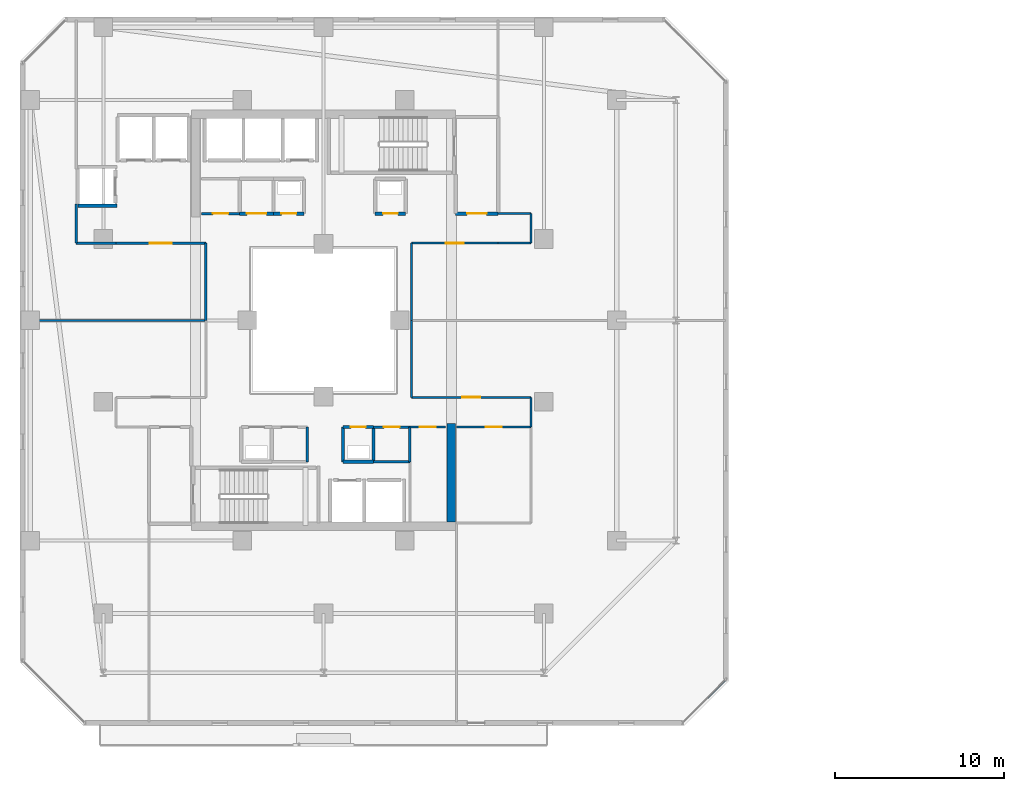
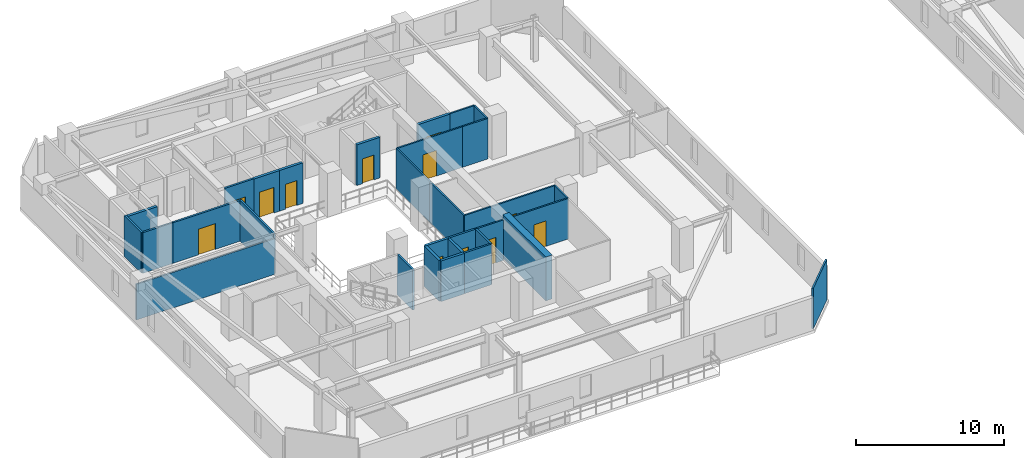
# One storey, part 20 of 32: 31 walls, 12 doors, 12 openings.
"""IFC4 building model written with IfcOpenShell, lengths in metres."""

from ifc_helpers import new_model, si_unit, direction, frame, frame_2d, origin, place, context, subcontext, project, spatial, rectangle, extrude, material, layer, layer_set, type_object, element, fill, save


model = new_model("IFC4")

# Units and contexts
model_context = context("Model", 3, precision=1e-05, world=origin(), true_north=direction((0.0, 1.0)))
body_context = subcontext(model_context, "Body", "Model", "MODEL_VIEW")
ifc_project = project(units=[si_unit("LENGTHUNIT", "METRE"), si_unit("AREAUNIT", "SQUARE_METRE"), si_unit("VOLUMEUNIT", "CUBIC_METRE"), si_unit("PLANEANGLEUNIT", "RADIAN"), si_unit("MASSUNIT", "GRAM", prefix="KILO")], contexts=[model_context])

# Site, building, storey
site_placement = place(None, origin())
site = spatial("IfcSite", under=ifc_project, at=site_placement, CompositionType="ELEMENT")
building_placement = place(site_placement, origin())
building = spatial("IfcBuilding", under=site, at=building_placement, Name="Thornwick Lancets Civic Towers", CompositionType="ELEMENT")
storey_placement = place(building_placement, frame((0.0, 0.0, 156.300048828125)))
storey = spatial("IfcBuildingStorey", under=building, at=storey_placement, Name="L41", CompositionType="ELEMENT", Elevation=156.300048828125)

# Wall
ifc_material_1 = material(Name="Concrete blockwork C40/50", Category="masonry")
ifc_layer_1 = layer(ifc_material_1, 0.199951171875, Name="Concrete blockwork C40/50")
ifc_layer_set_1 = layer_set([ifc_layer_1], Name="Concrete blockwork C40/50")
wall_type_1 = type_object("IfcWallType", Name="WALL_COMP_200", PredefinedType="STANDARD", material=ifc_layer_set_1)
wall_1_placement = place(storey_placement, frame((11.001953125, 33.75, 0.0), z_axis=(0.0, 0.0, 1.0), x_axis=(1.0, 0.0, 0.0)))
element("IfcWall", 1, at=wall_1_placement, inside=storey, type_object=wall_type_1, Name="L41 Hoistway Shaft Wall PL-AM3 S", PredefinedType="STANDARD", context=body_context, shape_type="SweptSolid", body=[
    extrude(rectangle(XDim=2.296142578125, YDim=0.199951171875, at=frame_2d((1.14794921875, 0.0))), origin(), (0.0, 0.0, 1.0), 3.33984375),
])

# Wall, opening, door
wall_2_placement = place(storey_placement, frame((33.300048828125, 33.300048828125, 0.0), z_axis=(0.0, 0.0, 1.0), x_axis=(1.0, 0.0, 0.0)))
wall_2 = element("IfcWall", 2, at=wall_2_placement, inside=storey, type_object=wall_type_1, Name="L41 Partition L41-A-FFLOB2 E1", PredefinedType="STANDARD", context=body_context, shape_type="SweptSolid", body=[
    extrude(rectangle(XDim=2.5, YDim=0.199951171875, at=frame_2d((1.25, 0.0))), origin(), (0.0, 0.0, 1.0), 3.33984375),
])
opening_1_placement = place(wall_2_placement, frame((0.675048828125, 0.0, 0.0)))
opening_1 = element("IfcOpeningElement", 3, at=opening_1_placement, cuts=wall_2, Name="Opening D-L41-1830", PredefinedType="OPENING", context=body_context, shape_type="SweptSolid", body=[
    extrude(rectangle(XDim=1.14990234375, YDim=2.10009765625, at=frame_2d((0.574951171875, 1.050048828125))), frame((0.0, 0.10986328125, 0.0), z_axis=(0.0, -1.0, 0.0), x_axis=(1.0, 0.0, 0.0)), (0.0, 0.0, 1.0), 0.219970703125),
])
ifc_material_2 = material(Name="Glazed fire-resisting steel", Category="steel")
door_type_1 = type_object("IfcDoorType", Name="DOOR_LOBBY_FD60", OperationType="NOTDEFINED", PredefinedType="DOOR", material=ifc_material_2)
door_1_placement = place(opening_1_placement, origin())
door_1 = element("IfcDoor", 4, at=door_1_placement, inside=storey, type_object=door_type_1, Name="L41 North Firefighting Lobby 2 Door", OperationType="SINGLE_SWING_LEFT", OverallHeight=2.10009765625, OverallWidth=1.14990234375, PredefinedType="DOOR", context=body_context, shape_type="SweptSolid", body=[
    extrude(rectangle(XDim=1.14990234375, YDim=2.10009765625, at=frame_2d((0.574951171875, 1.050048828125))), frame((0.0, 0.02490234375, 0.0), z_axis=(0.0, -1.0, 0.0), x_axis=(1.0, 0.0, 0.0)), (0.0, 0.0, 1.0), 0.050048828125),
])
fill(opening_1, door_1)

# Walls
wall_3_placement = place(storey_placement, frame((26.64990234375, 18.64990234375, 0.0), z_axis=(0.0, 0.0, 1.0), x_axis=(1.0, 0.0, 0.0)))
element("IfcWall", 5, at=wall_3_placement, inside=storey, type_object=wall_type_1, Name="L41 Partition L41-A-DUCT1 E1", PredefinedType="STANDARD", context=body_context, shape_type="SweptSolid", body=[
    extrude(rectangle(XDim=1.800048828125, YDim=0.199951171875, at=frame_2d((0.89990234375, 0.0))), origin(), (0.0, 0.0, 1.0), 3.33984375),
])
wall_4_placement = place(storey_placement, frame((28.449951171875, 18.64990234375, 0.0), z_axis=(0.0, 0.0, 1.0), x_axis=(0.0, 1.0, 0.0)))
element("IfcWall", 6, at=wall_4_placement, inside=storey, type_object=wall_type_1, Name="L41 Partition L41-A-DUCT1 E2", PredefinedType="STANDARD", context=body_context, shape_type="SweptSolid", body=[
    extrude(rectangle(XDim=2.050048828125, YDim=0.199951171875, at=frame_2d((1.02490234375, 0.0))), origin(), (0.0, 0.0, 1.0), 3.33984375),
])

# Wall, opening, door
wall_5_placement = place(storey_placement, frame((28.449951171875, 20.699951171875, 0.0), z_axis=(0.0, 0.0, 1.0), x_axis=(-1.0, 0.0, 0.0)))
wall_5 = element("IfcWall", 7, at=wall_5_placement, inside=storey, type_object=wall_type_1, Name="L41 Partition L41-A-DUCT1 E3", PredefinedType="STANDARD", context=body_context, shape_type="SweptSolid", body=[
    extrude(rectangle(XDim=1.800048828125, YDim=0.199951171875, at=frame_2d((0.89990234375, 0.0))), origin(), (0.0, 0.0, 1.0), 3.33984375),
])
opening_2_placement = place(wall_5_placement, frame((0.4599609375, 0.0, 0.0)))
opening_2 = element("IfcOpeningElement", 8, at=opening_2_placement, cuts=wall_5, Name="Opening D-L41-1831", PredefinedType="OPENING", context=body_context, shape_type="SweptSolid", body=[
    extrude(rectangle(XDim=0.8798828125, YDim=2.0400390625, at=frame_2d((0.43994140625, 1.02001953125))), frame((0.0, 0.10986328125, 0.0), z_axis=(0.0, -1.0, 0.0), x_axis=(1.0, 0.0, 0.0)), (0.0, 0.0, 1.0), 0.219970703125),
])
ifc_material_3 = material(Name="Steel riser access doorset", Category="steel")
door_type_2 = type_object("IfcDoorType", Name="DOOR_RISER_850", OperationType="NOTDEFINED", PredefinedType="DOOR", material=ifc_material_3)
door_2_placement = place(opening_2_placement, origin())
door_2 = element("IfcDoor", 9, at=door_2_placement, inside=storey, type_object=door_type_2, Name="L41 South Service Duct 1 Door", OperationType="SINGLE_SWING_RIGHT", OverallHeight=2.0400390625, OverallWidth=0.8798828125, PredefinedType="DOOR", context=body_context, shape_type="SweptSolid", body=[
    extrude(rectangle(XDim=0.8798828125, YDim=2.0400390625, at=frame_2d((0.43994140625, 1.02001953125))), frame((0.0, 0.02490234375, 0.0), z_axis=(0.0, -1.0, 0.0), x_axis=(1.0, 0.0, 0.0)), (0.0, 0.0, 1.0), 0.050048828125),
])
fill(opening_2, door_2)

# Wall
wall_6_placement = place(storey_placement, frame((26.64990234375, 20.699951171875, 0.0), z_axis=(0.0, 0.0, 1.0), x_axis=(0.0, -1.0, 0.0)))
element("IfcWall", 10, at=wall_6_placement, inside=storey, type_object=wall_type_1, Name="L41 Partition L41-A-DUCT1 E4", PredefinedType="STANDARD", context=body_context, shape_type="SweptSolid", body=[
    extrude(rectangle(XDim=2.050048828125, YDim=0.199951171875, at=frame_2d((1.02490234375, 0.0))), origin(), (0.0, 0.0, 1.0), 3.33984375),
])

# Wall, opening, door
wall_7_placement = place(storey_placement, frame((22.550048828125, 33.300048828125, 0.0), z_axis=(0.0, 0.0, 1.0), x_axis=(1.0, 0.0, 0.0)))
wall_7 = element("IfcWall", 11, at=wall_7_placement, inside=storey, type_object=wall_type_1, Name="L41 Partition L41-A-DUCT2 E1", PredefinedType="STANDARD", context=body_context, shape_type="SweptSolid", body=[
    extrude(rectangle(XDim=1.800048828125, YDim=0.199951171875, at=frame_2d((0.89990234375, 0.0))), origin(), (0.0, 0.0, 1.0), 3.33984375),
])
opening_3_placement = place(wall_7_placement, frame((0.4599609375, 0.0, 0.0)))
opening_3 = element("IfcOpeningElement", 12, at=opening_3_placement, cuts=wall_7, Name="Opening D-L41-1833", PredefinedType="OPENING", context=body_context, shape_type="SweptSolid", body=[
    extrude(rectangle(XDim=0.8798828125, YDim=2.0400390625, at=frame_2d((0.43994140625, 1.02001953125))), frame((0.0, 0.10986328125, 0.0), z_axis=(0.0, -1.0, 0.0), x_axis=(1.0, 0.0, 0.0)), (0.0, 0.0, 1.0), 0.219970703125),
])
door_3_placement = place(opening_3_placement, origin())
door_3 = element("IfcDoor", 13, at=door_3_placement, inside=storey, type_object=door_type_2, Name="L41 North Service Duct 2 Door", OperationType="SINGLE_SWING_RIGHT", OverallHeight=2.0400390625, OverallWidth=0.8798828125, PredefinedType="DOOR", context=body_context, shape_type="SweptSolid", body=[
    extrude(rectangle(XDim=0.8798828125, YDim=2.0400390625, at=frame_2d((0.43994140625, 1.02001953125))), frame((0.0, 0.02490234375, 0.0), z_axis=(0.0, -1.0, 0.0), x_axis=(1.0, 0.0, 0.0)), (0.0, 0.0, 1.0), 0.050048828125),
])
fill(opening_3, door_3)

wall_8_placement = place(storey_placement, frame((28.550048828125, 33.300048828125, 0.0), z_axis=(0.0, 0.0, 1.0), x_axis=(1.0, 0.0, 0.0)))
wall_8 = element("IfcWall", 14, at=wall_8_placement, inside=storey, type_object=wall_type_1, Name="L41 Partition L41-A-RISER2 E1", PredefinedType="STANDARD", context=body_context, shape_type="SweptSolid", body=[
    extrude(rectangle(XDim=1.800048828125, YDim=0.199951171875, at=frame_2d((0.89990234375, 0.0))), origin(), (0.0, 0.0, 1.0), 3.33984375),
])
opening_4_placement = place(wall_8_placement, frame((0.4599609375, 0.0, 0.0)))
opening_4 = element("IfcOpeningElement", 15, at=opening_4_placement, cuts=wall_8, Name="Opening D-L41-1834", PredefinedType="OPENING", context=body_context, shape_type="SweptSolid", body=[
    extrude(rectangle(XDim=0.8798828125, YDim=2.0400390625, at=frame_2d((0.43994140625, 1.02001953125))), frame((0.0, 0.10986328125, 0.0), z_axis=(0.0, -1.0, 0.0), x_axis=(1.0, 0.0, 0.0)), (0.0, 0.0, 1.0), 0.219970703125),
])
door_4_placement = place(opening_4_placement, origin())
door_4 = element("IfcDoor", 16, at=door_4_placement, inside=storey, type_object=door_type_2, Name="L41 North Service Riser 2 Door", OperationType="SINGLE_SWING_LEFT", OverallHeight=2.0400390625, OverallWidth=0.8798828125, PredefinedType="DOOR", context=body_context, shape_type="SweptSolid", body=[
    extrude(rectangle(XDim=0.8798828125, YDim=2.0400390625, at=frame_2d((0.43994140625, 1.02001953125))), frame((0.0, 0.02490234375, 0.0), z_axis=(0.0, -1.0, 0.0), x_axis=(1.0, 0.0, 0.0)), (0.0, 0.0, 1.0), 0.050048828125),
])
fill(opening_4, door_4)

wall_9_placement = place(storey_placement, frame((22.550048828125, 33.300048828125, 0.0), z_axis=(0.0, 0.0, 1.0), x_axis=(-1.0, 0.0, 0.0)))
wall_9 = element("IfcWall", 17, at=wall_9_placement, inside=storey, type_object=wall_type_1, Name="L41 Partition L41-A-STR E4", PredefinedType="STANDARD", context=body_context, shape_type="SweptSolid", body=[
    extrude(rectangle(XDim=2.0, YDim=0.199951171875, at=frame_2d((1.0, 0.0))), origin(), (0.0, 0.0, 1.0), 3.33984375),
])
opening_5_placement = place(wall_9_placement, frame((0.425048828125, 0.0, 0.0)))
opening_5 = element("IfcOpeningElement", 18, at=opening_5_placement, cuts=wall_9, Name="Opening D-L41-1839", PredefinedType="OPENING", context=body_context, shape_type="SweptSolid", body=[
    extrude(rectangle(XDim=1.14990234375, YDim=2.10009765625, at=frame_2d((0.574951171875, 1.050048828125))), frame((0.0, 0.10986328125, 0.0), z_axis=(0.0, -1.0, 0.0), x_axis=(1.0, 0.0, 0.0)), (0.0, 0.0, 1.0), 0.219970703125),
])
door_5_placement = place(opening_5_placement, origin())
door_5 = element("IfcDoor", 19, at=door_5_placement, inside=storey, type_object=door_type_1, Name="L41 Tower A Core Records Store Door", OperationType="SINGLE_SWING_RIGHT", OverallHeight=2.10009765625, OverallWidth=1.14990234375, PredefinedType="DOOR", context=body_context, shape_type="SweptSolid", body=[
    extrude(rectangle(XDim=1.14990234375, YDim=2.10009765625, at=frame_2d((0.574951171875, 1.050048828125))), frame((0.0, 0.02490234375, 0.0), z_axis=(0.0, -1.0, 0.0), x_axis=(1.0, 0.0, 0.0)), (0.0, 0.0, 1.0), 0.050048828125),
])
fill(opening_5, door_5)

# Wall
ifc_material_4 = material(Name="Concrete C50/60", Category="concrete")
ifc_layer_2 = layer(ifc_material_4, 0.5, Name="Concrete C50/60")
ifc_layer_set_2 = layer_set([ifc_layer_2], Name="Concrete C50/60")
wall_type_2 = type_object("IfcWallType", Name="WALL_CORE_500", PredefinedType="SHEAR", material=ifc_layer_set_2)
wall_10_placement = place(storey_placement, frame((33.050048828125, 15.10009765625, 0.0), z_axis=(0.0, 0.0, 1.0), x_axis=(0.0, 1.0, 0.0)))
element("IfcWall", 20, at=wall_10_placement, inside=storey, type_object=wall_type_2, Name="L41 Split Core A1 Shear Wall E", PredefinedType="SHEAR", context=body_context, shape_type="SweptSolid", body=[
    extrude(rectangle(XDim=5.7998046875, YDim=0.5, at=frame_2d((2.89990234375, 0.0))), origin(), (0.0, 0.0, 1.0), 3.599853515625),
])

# Wall, opening, door
ifc_material_5 = material(Name="Acoustic gypsum board partition")
ifc_layer_3 = layer(ifc_material_5, 0.1201171875, Name="Acoustic gypsum board partition")
ifc_layer_set_3 = layer_set([ifc_layer_3], Name="Acoustic gypsum board partition")
wall_type_3 = type_object("IfcWallType", Name="WALL_PART_120", PredefinedType="PARTITIONING", material=ifc_layer_set_3)
wall_11_placement = place(storey_placement, frame((30.60009765625, 20.699951171875, 0.0), z_axis=(0.0, 0.0, 1.0), x_axis=(1.0, 0.0, 0.0)))
wall_11 = element("IfcWall", 21, at=wall_11_placement, inside=storey, type_object=wall_type_3, Name="L41 Partition L41-A-ITR E5", PredefinedType="PARTITIONING", context=body_context, shape_type="SweptSolid", body=[
    extrude(rectangle(XDim=2.099853515625, YDim=0.1201171875, at=frame_2d((1.0498046875, 0.0))), origin(), (0.0, 0.0, 1.0), 3.33984375),
])
opening_6_placement = place(wall_11_placement, frame((0.574951171875, 0.0, 0.0)))
opening_6 = element("IfcOpeningElement", 22, at=opening_6_placement, cuts=wall_11, Name="Opening D-L41-1837", PredefinedType="OPENING", context=body_context, shape_type="SweptSolid", body=[
    extrude(rectangle(XDim=0.949951171875, YDim=2.10009765625, at=frame_2d((0.47509765625, 1.050048828125))), frame((0.0, 0.070068359375, 0.0), z_axis=(0.0, -1.0, 0.0), x_axis=(1.0, 0.0, 0.0)), (0.0, 0.0, 1.0), 0.14013671875),
])
ifc_material_6 = material(Name="European oak acoustic doorset")
door_type_3 = type_object("IfcDoorType", Name="DOOR_OFFICE_950", OperationType="NOTDEFINED", PredefinedType="DOOR", material=ifc_material_6)
door_6_placement = place(opening_6_placement, origin())
door_6 = element("IfcDoor", 23, at=door_6_placement, inside=storey, type_object=door_type_3, Name="L41 Tower A Comms Patch Room Door", OperationType="SINGLE_SWING_RIGHT", OverallHeight=2.10009765625, OverallWidth=0.949951171875, PredefinedType="DOOR", context=body_context, shape_type="SweptSolid", body=[
    extrude(rectangle(XDim=0.949951171875, YDim=2.10009765625, at=frame_2d((0.47509765625, 1.050048828125))), frame((0.0, 0.02490234375, 0.0), z_axis=(0.0, -1.0, 0.0), x_axis=(1.0, 0.0, 0.0)), (0.0, 0.0, 1.0), 0.050048828125),
])
fill(opening_6, door_6)

wall_12_placement = place(storey_placement, frame((33.35009765625, 20.699951171875, 0.0), z_axis=(0.0, 0.0, 1.0), x_axis=(1.0, 0.0, 0.0)))
wall_12 = element("IfcWall", 24, at=wall_12_placement, inside=storey, type_object=wall_type_3, Name="L41 Partition L41-A-RECLAIM-L1 E3", PredefinedType="PARTITIONING", context=body_context, shape_type="SweptSolid", body=[
    extrude(rectangle(XDim=4.39990234375, YDim=0.1201171875, at=frame_2d((2.199951171875, 0.0))), origin(), (0.0, 0.0, 1.0), 3.33984375),
])
opening_7_placement = place(wall_12_placement, frame((1.72509765625, 0.0, 0.0)))
opening_7 = element("IfcOpeningElement", 25, at=opening_7_placement, cuts=wall_12, Name="Opening D-L41-1851", PredefinedType="OPENING", context=body_context, shape_type="SweptSolid", body=[
    extrude(rectangle(XDim=0.949951171875, YDim=2.10009765625, at=frame_2d((0.47509765625, 1.050048828125))), frame((0.0, 0.070068359375, 0.0), z_axis=(0.0, -1.0, 0.0), x_axis=(1.0, 0.0, 0.0)), (0.0, 0.0, 1.0), 0.14013671875),
])
door_7_placement = place(opening_7_placement, origin())
door_7 = element("IfcDoor", 26, at=door_7_placement, inside=storey, type_object=door_type_3, Name="L41 Tower A Policy Archive and Library Door", OperationType="SINGLE_SWING_RIGHT", OverallHeight=2.10009765625, OverallWidth=0.949951171875, PredefinedType="DOOR", context=body_context, shape_type="SweptSolid", body=[
    extrude(rectangle(XDim=0.949951171875, YDim=2.10009765625, at=frame_2d((0.47509765625, 1.050048828125))), frame((0.0, 0.02490234375, 0.0), z_axis=(0.0, -1.0, 0.0), x_axis=(1.0, 0.0, 0.0)), (0.0, 0.0, 1.0), 0.050048828125),
])
fill(opening_7, door_7)

# Walls
wall_13_placement = place(storey_placement, frame((7.780029296875, 27.0, 0.0), z_axis=(0.0, 0.0, 1.0), x_axis=(1.0, 0.0, 0.0)))
element("IfcWall", 27, at=wall_13_placement, inside=storey, type_object=wall_type_3, Name="L41 Partition L41-A-W1 E10", PredefinedType="PARTITIONING", context=body_context, shape_type="SweptSolid", body=[
    extrude(rectangle(XDim=10.77001953125, YDim=0.1201171875, at=frame_2d((5.385009765625, 0.0))), origin(), (0.0, 0.0, 1.0), 2.93212890625),
])
wall_14_placement = place(storey_placement, frame((37.75, 20.699951171875, 0.0), z_axis=(0.0, 0.0, 1.0), x_axis=(0.0, 1.0, 0.0)))
element("IfcWall", 28, at=wall_14_placement, inside=storey, type_object=wall_type_3, Name="L41 Partition L41-A-E1 E5", PredefinedType="PARTITIONING", context=body_context, shape_type="SweptSolid", body=[
    extrude(rectangle(XDim=1.75, YDim=0.1201171875, at=frame_2d((0.875, 0.0))), origin(), (0.0, 0.0, 1.0), 3.33984375),
])

# Wall, opening, door
wall_15_placement = place(storey_placement, frame((37.75, 22.449951171875, 0.0), z_axis=(0.0, 0.0, 1.0), x_axis=(-1.0, 0.0, 0.0)))
wall_15 = element("IfcWall", 29, at=wall_15_placement, inside=storey, type_object=wall_type_3, Name="L41 Partition L41-A-E1 E6", PredefinedType="PARTITIONING", context=body_context, shape_type="SweptSolid", body=[
    extrude(rectangle(XDim=7.050048828125, YDim=0.1201171875, at=frame_2d((3.52490234375, 0.0))), origin(), (0.0, 0.0, 1.0), 3.33984375),
])
opening_8_placement = place(wall_15_placement, frame((3.0, 0.0, 0.0)))
opening_8 = element("IfcOpeningElement", 30, at=opening_8_placement, cuts=wall_15, Name="Opening D-L41-1854", PredefinedType="OPENING", context=body_context, shape_type="SweptSolid", body=[
    extrude(rectangle(XDim=1.050048828125, YDim=2.10009765625, at=frame_2d((0.52490234375, 1.050048828125))), frame((0.0, 0.070068359375, 0.0), z_axis=(0.0, -1.0, 0.0), x_axis=(1.0, 0.0, 0.0)), (0.0, 0.0, 1.0), 0.14013671875),
])
ifc_material_7 = material(Name="Glazed European oak executive doorset")
door_type_4 = type_object("IfcDoorType", Name="DOOR_OFFICE_1050", OperationType="NOTDEFINED", PredefinedType="DOOR", material=ifc_material_7)
door_8_placement = place(opening_8_placement, origin())
door_8 = element("IfcDoor", 31, at=door_8_placement, inside=storey, type_object=door_type_4, Name="L41 Tower A Secretariat Open Office E1 Door", OperationType="SINGLE_SWING_LEFT", OverallHeight=2.10009765625, OverallWidth=1.050048828125, PredefinedType="DOOR", context=body_context, shape_type="SweptSolid", body=[
    extrude(rectangle(XDim=1.050048828125, YDim=2.10009765625, at=frame_2d((0.52490234375, 1.050048828125))), frame((0.0, 0.02490234375, 0.0), z_axis=(0.0, -1.0, 0.0), x_axis=(1.0, 0.0, 0.0)), (0.0, 0.0, 1.0), 0.050048828125),
])
fill(opening_8, door_8)

# Walls
wall_16_placement = place(storey_placement, frame((30.699951171875, 22.449951171875, 0.0), z_axis=(0.0, 0.0, 1.0), x_axis=(0.0, 1.0, 0.0)))
element("IfcWall", 32, at=wall_16_placement, inside=storey, type_object=wall_type_3, Name="L41 Partition L41-A-E1 E7", PredefinedType="PARTITIONING", context=body_context, shape_type="SweptSolid", body=[
    extrude(rectangle(XDim=4.550048828125, YDim=0.1201171875, at=frame_2d((2.27490234375, 0.0))), origin(), (0.0, 0.0, 1.0), 3.33984375),
])
wall_17_placement = place(storey_placement, frame((49.219970703125, 5.774658203125, 0.0), z_axis=(0.0, 0.0, 1.0), x_axis=(-0.707106781187, -0.707106781187, 0.0)))
element("IfcWall", 33, at=wall_17_placement, inside=storey, type_object=wall_type_3, Name="L41 Partition L41-A-E1 E10", PredefinedType="PARTITIONING", context=body_context, shape_type="SweptSolid", body=[
    extrude(rectangle(XDim=3.52783203125, YDim=0.1201171875, at=frame_2d((1.763916015625, 0.0))), origin(), (0.0, 0.0, 1.0), 3.33984375),
])

# Wall, opening, door
wall_18_placement = place(storey_placement, frame((30.699951171875, 31.550048828125, 0.0), z_axis=(0.0, 0.0, 1.0), x_axis=(1.0, 0.0, 0.0)))
wall_18 = element("IfcWall", 34, at=wall_18_placement, inside=storey, type_object=wall_type_3, Name="L41 Partition L41-A-E3 E1", PredefinedType="PARTITIONING", context=body_context, shape_type="SweptSolid", body=[
    extrude(rectangle(XDim=5.10009765625, YDim=0.1201171875, at=frame_2d((2.550048828125, 0.0))), origin(), (0.0, 0.0, 1.0), 3.33984375),
])
opening_9_placement = place(wall_18_placement, frame((2.02490234375, 0.0, 0.0)))
opening_9 = element("IfcOpeningElement", 35, at=opening_9_placement, cuts=wall_18, Name="Opening D-L41-1855", PredefinedType="OPENING", context=body_context, shape_type="SweptSolid", body=[
    extrude(rectangle(XDim=1.050048828125, YDim=2.10009765625, at=frame_2d((0.52490234375, 1.050048828125))), frame((0.0, 0.070068359375, 0.0), z_axis=(0.0, -1.0, 0.0), x_axis=(1.0, 0.0, 0.0)), (0.0, 0.0, 1.0), 0.14013671875),
])
door_9_placement = place(opening_9_placement, origin())
door_9 = element("IfcDoor", 36, at=door_9_placement, inside=storey, type_object=door_type_4, Name="L41 Tower A Civic Seminar Room Door", OperationType="SINGLE_SWING_RIGHT", OverallHeight=2.10009765625, OverallWidth=1.050048828125, PredefinedType="DOOR", context=body_context, shape_type="SweptSolid", body=[
    extrude(rectangle(XDim=1.050048828125, YDim=2.10009765625, at=frame_2d((0.52490234375, 1.050048828125))), frame((0.0, 0.02490234375, 0.0), z_axis=(0.0, -1.0, 0.0), x_axis=(1.0, 0.0, 0.0)), (0.0, 0.0, 1.0), 0.050048828125),
])
fill(opening_9, door_9)

# Walls
wall_19_placement = place(storey_placement, frame((35.800048828125, 31.550048828125, 0.0), z_axis=(0.0, 0.0, 1.0), x_axis=(1.0, 0.0, 0.0)))
element("IfcWall", 37, at=wall_19_placement, inside=storey, type_object=wall_type_3, Name="L41 Partition L41-A-E3 E2", PredefinedType="PARTITIONING", context=body_context, shape_type="SweptSolid", body=[
    extrude(rectangle(XDim=1.949951171875, YDim=0.1201171875, at=frame_2d((0.97509765625, 0.0))), origin(), (0.0, 0.0, 1.0), 3.33984375),
])
wall_20_placement = place(storey_placement, frame((37.75, 31.550048828125, 0.0), z_axis=(0.0, 0.0, 1.0), x_axis=(0.0, 1.0, 0.0)))
element("IfcWall", 38, at=wall_20_placement, inside=storey, type_object=wall_type_3, Name="L41 Partition L41-A-E3 E3", PredefinedType="PARTITIONING", context=body_context, shape_type="SweptSolid", body=[
    extrude(rectangle(XDim=1.75, YDim=0.1201171875, at=frame_2d((0.875, 0.0))), origin(), (0.0, 0.0, 1.0), 3.33984375),
])
wall_21_placement = place(storey_placement, frame((37.75, 33.300048828125, 0.0), z_axis=(0.0, 0.0, 1.0), x_axis=(-1.0, 0.0, 0.0)))
element("IfcWall", 39, at=wall_21_placement, inside=storey, type_object=wall_type_3, Name="L41 Partition L41-A-E3 E4", PredefinedType="PARTITIONING", context=body_context, shape_type="SweptSolid", body=[
    extrude(rectangle(XDim=1.949951171875, YDim=0.1201171875, at=frame_2d((0.97509765625, 0.0))), origin(), (0.0, 0.0, 1.0), 3.33984375),
])
wall_22_placement = place(storey_placement, frame((30.699951171875, 27.0, 0.0), z_axis=(0.0, 0.0, 1.0), x_axis=(0.0, 1.0, 0.0)))
element("IfcWall", 40, at=wall_22_placement, inside=storey, type_object=wall_type_3, Name="L41 Partition L41-A-E3 E11", PredefinedType="PARTITIONING", context=body_context, shape_type="SweptSolid", body=[
    extrude(rectangle(XDim=4.550048828125, YDim=0.1201171875, at=frame_2d((2.27490234375, 0.0))), origin(), (0.0, 0.0, 1.0), 3.33984375),
])
ifc_material_8 = material(Name="Twin-stud acoustic gypsum board")
ifc_layer_4 = layer(ifc_material_8, 0.14990234375, Name="Twin-stud acoustic gypsum board")
ifc_layer_set_4 = layer_set([ifc_layer_4], Name="Twin-stud acoustic gypsum board")
wall_type_4 = type_object("IfcWallType", Name="WALL_PART_150", PredefinedType="PARTITIONING", material=ifc_layer_set_4)
for number, where, z_axis, x_axis, name in (
    (41, (24.550048828125, 20.699951171875, 0.0), (0.0, 0.0, 1.0), (0.0, -1.0, 0.0), "L41 Partition L41-A-MWC E1"),
    (42, (30.60009765625, 20.699951171875, 0.0), (0.0, 0.0, 1.0), (0.0, -1.0, 0.0), "L41 Partition L41-A-FWC E1"),
):
    element("IfcWall", number, at=place(storey_placement, frame(where, z_axis=z_axis, x_axis=x_axis)), inside=storey, type_object=wall_type_4, Name=name, PredefinedType="PARTITIONING", context=body_context, shape_type="SweptSolid", body=[
        extrude(rectangle(XDim=2.050048828125, YDim=0.14990234375, at=frame_2d((1.02490234375, 0.0))), origin(), (0.0, 0.0, 1.0), 3.33984375),
    ])
wall_23_placement = place(storey_placement, frame((30.60009765625, 18.64990234375, 0.0), z_axis=(0.0, 0.0, 1.0), x_axis=(-1.0, 0.0, 0.0)))
element("IfcWall", 43, at=wall_23_placement, inside=storey, type_object=wall_type_4, Name="L41 Partition L41-A-FWC E2", PredefinedType="PARTITIONING", context=body_context, shape_type="SweptSolid", body=[
    extrude(rectangle(XDim=2.150146484375, YDim=0.14990234375, at=frame_2d((1.0751953125, 0.0))), origin(), (0.0, 0.0, 1.0), 3.33984375),
])

# Wall, opening, door
wall_24_placement = place(storey_placement, frame((28.449951171875, 20.699951171875, 0.0), z_axis=(0.0, 0.0, 1.0), x_axis=(1.0, 0.0, 0.0)))
wall_24 = element("IfcWall", 44, at=wall_24_placement, inside=storey, type_object=wall_type_4, Name="L41 Partition L41-A-FWC E4", PredefinedType="PARTITIONING", context=body_context, shape_type="SweptSolid", body=[
    extrude(rectangle(XDim=2.150146484375, YDim=0.14990234375, at=frame_2d((1.0751953125, 0.0))), origin(), (0.0, 0.0, 1.0), 3.33984375),
])
opening_10_placement = place(wall_24_placement, frame((0.614990234375, 0.0, 0.0)))
opening_10 = element("IfcOpeningElement", 45, at=opening_10_placement, cuts=wall_24, Name="Opening D-L41-1836", PredefinedType="OPENING", context=body_context, shape_type="SweptSolid", body=[
    extrude(rectangle(XDim=0.919921875, YDim=2.080078125, at=frame_2d((0.4599609375, 1.0400390625))), frame((0.0, 0.0849609375, 0.0), z_axis=(0.0, -1.0, 0.0), x_axis=(1.0, 0.0, 0.0)), (0.0, 0.0, 1.0), 0.169921875),
])
ifc_material_9 = material(Name="Moisture-resistant oak doorset")
door_type_5 = type_object("IfcDoorType", Name="DOOR_WC_900", OperationType="NOTDEFINED", PredefinedType="DOOR", material=ifc_material_9)
door_10_placement = place(opening_10_placement, origin())
door_10 = element("IfcDoor", 46, at=door_10_placement, inside=storey, type_object=door_type_5, Name="L41 Tower A Female WC Door", OperationType="SINGLE_SWING_LEFT", OverallHeight=2.080078125, OverallWidth=0.919921875, PredefinedType="DOOR", context=body_context, shape_type="SweptSolid", body=[
    extrude(rectangle(XDim=0.919921875, YDim=2.080078125, at=frame_2d((0.4599609375, 1.0400390625))), frame((0.0, 0.02490234375, 0.0), z_axis=(0.0, -1.0, 0.0), x_axis=(1.0, 0.0, 0.0)), (0.0, 0.0, 1.0), 0.050048828125),
])
fill(opening_10, door_10)

wall_25_placement = place(storey_placement, frame((18.300048828125, 33.300048828125, 0.0), z_axis=(0.0, 0.0, 1.0), x_axis=(1.0, 0.0, 0.0)))
wall_25 = element("IfcWall", 47, at=wall_25_placement, inside=storey, type_object=wall_type_4, Name="L41 Partition L41-A-AWC E1", PredefinedType="PARTITIONING", context=body_context, shape_type="SweptSolid", body=[
    extrude(rectangle(XDim=2.25, YDim=0.14990234375, at=frame_2d((1.125, 0.0))), origin(), (0.0, 0.0, 1.0), 3.33984375),
])
opening_11_placement = place(wall_25_placement, frame((0.6650390625, 0.0, 0.0)))
opening_11 = element("IfcOpeningElement", 48, at=opening_11_placement, cuts=wall_25, Name="Opening D-L41-1838", PredefinedType="OPENING", context=body_context, shape_type="SweptSolid", body=[
    extrude(rectangle(XDim=0.919921875, YDim=2.080078125, at=frame_2d((0.4599609375, 1.0400390625))), frame((0.0, 0.0849609375, 0.0), z_axis=(0.0, -1.0, 0.0), x_axis=(1.0, 0.0, 0.0)), (0.0, 0.0, 1.0), 0.169921875),
])
door_11_placement = place(opening_11_placement, origin())
door_11 = element("IfcDoor", 49, at=door_11_placement, inside=storey, type_object=door_type_5, Name="L41 Tower A Accessible WC Door", OperationType="SINGLE_SWING_LEFT", OverallHeight=2.080078125, OverallWidth=0.919921875, PredefinedType="DOOR", context=body_context, shape_type="SweptSolid", body=[
    extrude(rectangle(XDim=0.919921875, YDim=2.080078125, at=frame_2d((0.4599609375, 1.0400390625))), frame((0.0, 0.02490234375, 0.0), z_axis=(0.0, -1.0, 0.0), x_axis=(1.0, 0.0, 0.0)), (0.0, 0.0, 1.0), 0.050048828125),
])
fill(opening_11, door_11)

wall_26_placement = place(storey_placement, frame((13.25, 31.550048828125, 0.0), z_axis=(0.0, 0.0, 1.0), x_axis=(1.0, 0.0, 0.0)))
wall_26 = element("IfcWall", 50, at=wall_26_placement, inside=storey, type_object=wall_type_4, Name="L41 Partition L41-A-W2 E1", PredefinedType="PARTITIONING", context=body_context, shape_type="SweptSolid", body=[
    extrude(rectangle(XDim=5.300048828125, YDim=0.14990234375, at=frame_2d((2.64990234375, 0.0))), origin(), (0.0, 0.0, 1.0), 3.33984375),
])
opening_12_placement = place(wall_26_placement, frame((2.0, 0.0, 0.0)))
opening_12 = element("IfcOpeningElement", 51, at=opening_12_placement, cuts=wall_26, Name="Opening D-L41-1853", PredefinedType="OPENING", context=body_context, shape_type="SweptSolid", body=[
    extrude(rectangle(XDim=1.300048828125, YDim=2.1201171875, at=frame_2d((0.64990234375, 1.06005859375))), frame((0.0, 0.0849609375, 0.0), z_axis=(0.0, -1.0, 0.0), x_axis=(1.0, 0.0, 0.0)), (0.0, 0.0, 1.0), 0.169921875),
])
ifc_material_10 = material(Name="Acoustic oak leaf-and-a-half doorset")
door_type_6 = type_object("IfcDoorType", Name="DOOR_MEET_1300", OperationType="DOUBLE_DOOR_SINGLE_SWING", PredefinedType="DOOR", material=ifc_material_10)
door_12_placement = place(opening_12_placement, origin())
door_12 = element("IfcDoor", 52, at=door_12_placement, inside=storey, type_object=door_type_6, Name="L41 Tower A Policy Briefing Room W2 Door", OperationType="DOUBLE_DOOR_SINGLE_SWING", OverallHeight=2.1201171875, OverallWidth=1.300048828125, PredefinedType="DOOR", context=body_context, shape_type="SweptSolid", body=[
    extrude(rectangle(XDim=1.300048828125, YDim=2.1201171875, at=frame_2d((0.64990234375, 1.06005859375))), frame((0.0, 0.02490234375, 0.0), z_axis=(0.0, -1.0, 0.0), x_axis=(1.0, 0.0, 0.0)), (0.0, 0.0, 1.0), 0.050048828125),
])
fill(opening_12, door_12)

# Walls
wall_27_placement = place(storey_placement, frame((18.550048828125, 31.550048828125, 0.0), z_axis=(0.0, 0.0, 1.0), x_axis=(0.0, -1.0, 0.0)))
element("IfcWall", 53, at=wall_27_placement, inside=storey, type_object=wall_type_4, Name="L41 Partition L41-A-W2 E2", PredefinedType="PARTITIONING", context=body_context, shape_type="SweptSolid", body=[
    extrude(rectangle(XDim=4.550048828125, YDim=0.14990234375, at=frame_2d((2.27490234375, 0.0))), origin(), (0.0, 0.0, 1.0), 3.33984375),
])
wall_28_placement = place(storey_placement, frame((10.89990234375, 33.862060546875, 0.0), z_axis=(0.0, 0.0, 1.0), x_axis=(0.0, -1.0, 0.0)))
element("IfcWall", 54, at=wall_28_placement, inside=storey, type_object=wall_type_4, Name="L41 Partition L41-A-W2 E7", PredefinedType="PARTITIONING", context=body_context, shape_type="SweptSolid", body=[
    extrude(rectangle(XDim=2.31201171875, YDim=0.14990234375, at=frame_2d((1.156005859375, 0.0))), origin(), (0.0, 0.0, 1.0), 3.33984375),
])
wall_29_placement = place(storey_placement, frame((10.89990234375, 31.550048828125, 0.0), z_axis=(0.0, 0.0, 1.0), x_axis=(1.0, 0.0, 0.0)))
element("IfcWall", 55, at=wall_29_placement, inside=storey, type_object=wall_type_4, Name="L41 Partition L41-A-W2 E8", PredefinedType="PARTITIONING", context=body_context, shape_type="SweptSolid", body=[
    extrude(rectangle(XDim=2.35009765625, YDim=0.14990234375, at=frame_2d((1.175048828125, 0.0))), origin(), (0.0, 0.0, 1.0), 3.33984375),
])

save(model, "model.ifc")
